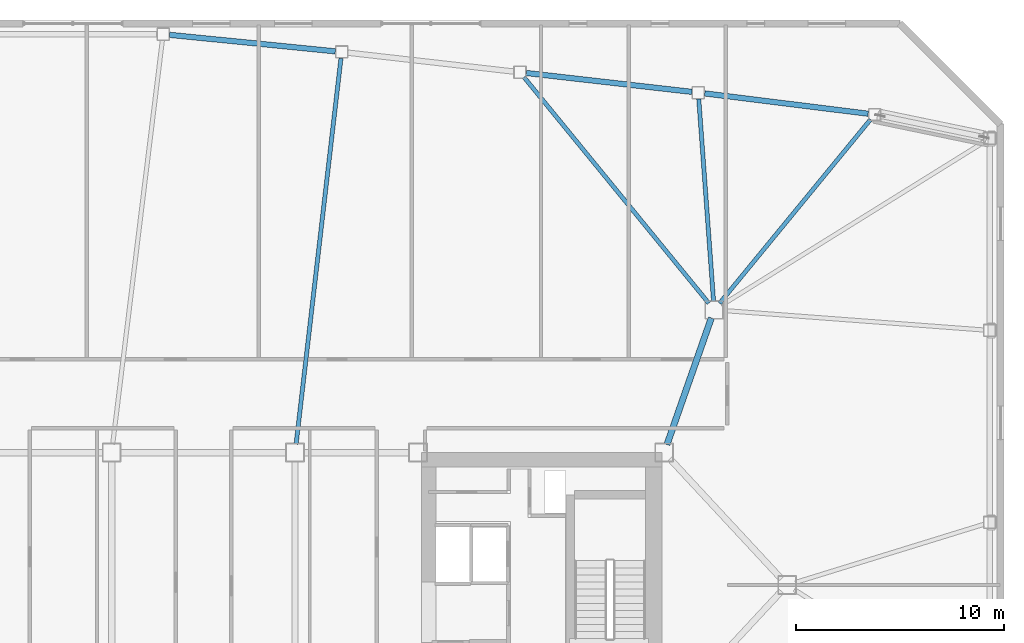
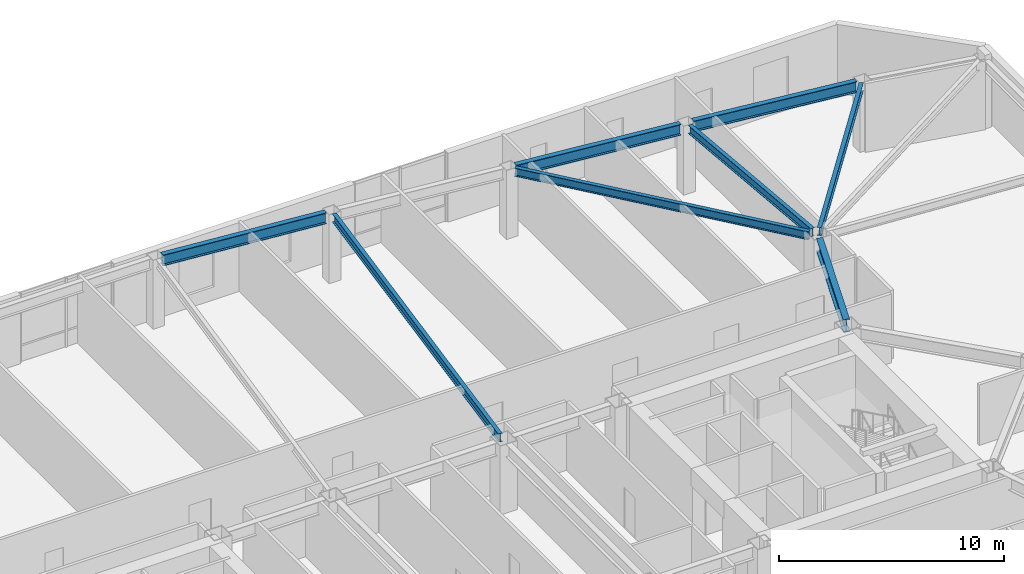
# One storey, part 6 of 17: 8 beams.
"""IFC4 building model written with IfcOpenShell, lengths in metres."""

from ifc_helpers import new_model, si_unit, direction, frame, origin, origin_2d, place, context, subcontext, project, spatial, i_section, extrude, material, material_profile, profile_set, type_object, element, save


model = new_model("IFC4")

# Units and contexts
model_context = context("Model", 3, precision=1e-05, world=origin(), true_north=direction((0.0, 1.0)))
body_context = subcontext(model_context, "Body", "Model", "MODEL_VIEW")
ifc_project = project(units=[si_unit("LENGTHUNIT", "METRE"), si_unit("AREAUNIT", "SQUARE_METRE"), si_unit("VOLUMEUNIT", "CUBIC_METRE"), si_unit("PLANEANGLEUNIT", "RADIAN"), si_unit("MASSUNIT", "GRAM", prefix="KILO")], contexts=[model_context])

# Site, building, storey
site_placement = place(None, origin())
site = spatial("IfcSite", under=ifc_project, at=site_placement, CompositionType="ELEMENT")
building_placement = place(site_placement, origin())
building = spatial("IfcBuilding", under=site, at=building_placement, Name="Tavrogorsk Clinical Tower", CompositionType="ELEMENT")
storey_placement = place(building_placement, frame((0.0, 0.0, 160.199951171875)))
storey = spatial("IfcBuildingStorey", under=building, at=storey_placement, Name="L36", CompositionType="ELEMENT", Elevation=160.199951171875)

# Beams
ifc_material_1 = material(Name="Structural steel S355", Category="steel")
ifc_material_profile_1 = material_profile(ifc_material_1, i_section(OverallWidth=0.199951171875, OverallDepth=0.449951171875, WebThickness=0.011474609375, FlangeThickness=0.01806640625, at=origin_2d()), Name="B-450x200x11.5x18")
ifc_profile_set_1 = profile_set([ifc_material_profile_1], Name="Structural steel S355")
beam_type_1 = type_object("IfcBeamType", Name="FloorBeam_B450", PredefinedType="BEAM", material=ifc_profile_set_1)
beam_1_placement = place(storey_placement, frame((24.76025390625, 13.516845703125, 3.51513671875), z_axis=(0.634632561694, 0.772814021377, 0.0), x_axis=(-0.772814021377, 0.634632561694, 0.0)))
element("IfcBeam", 1, at=beam_1_placement, inside=storey, type_object=beam_type_1, Name="L36 Radial Floor Beam N1", PredefinedType="BEAM", context=body_context, shape_type="SweptSolid", body=[
    extrude(i_section(OverallWidth=0.199951171875, OverallDepth=0.449951171875, WebThickness=0.011474609375, FlangeThickness=0.01806640625, at=origin_2d()), origin(), (0.0, 0.0, 1.0), 11.401123046875),
])
beam_2_placement = place(storey_placement, frame((24.469970703125, 13.60888671875, 3.51513671875), z_axis=(-0.072959198524, 0.997334926367, 0.0), x_axis=(-0.997334926367, -0.072959198524, 0.0)))
element("IfcBeam", 2, at=beam_2_placement, inside=storey, type_object=beam_type_1, Name="L36 Radial Floor Beam N2", PredefinedType="BEAM", context=body_context, shape_type="SweptSolid", body=[
    extrude(i_section(OverallWidth=0.199951171875, OverallDepth=0.449951171875, WebThickness=0.011474609375, FlangeThickness=0.01806640625, at=origin_2d()), origin(), (0.0, 0.0, 1.0), 9.7275390625),
])
beam_3_placement = place(storey_placement, frame((24.240478515625, 13.517333984375, 3.51513671875), z_axis=(-0.632957552123, 0.774186500277, 0.0), x_axis=(-0.774186500277, -0.632957552123, 0.0)))
element("IfcBeam", 3, at=beam_3_placement, inside=storey, type_object=beam_type_1, Name="L36 Radial Floor Beam N3", PredefinedType="BEAM", context=body_context, shape_type="SweptSolid", body=[
    extrude(i_section(OverallWidth=0.199951171875, OverallDepth=0.449951171875, WebThickness=0.011474609375, FlangeThickness=0.01806640625, at=origin_2d()), origin(), (0.0, 0.0, 1.0), 13.9970703125),
])
beam_4_placement = place(storey_placement, frame((4.447265625, 6.75732421875, 3.51513671875), z_axis=(0.115490633481, 0.993308569166, 0.0), x_axis=(-0.993308569166, 0.115490633481, 0.0)))
element("IfcBeam", 4, at=beam_4_placement, inside=storey, type_object=beam_type_1, Name="L36 Radial Floor Beam N4", PredefinedType="BEAM", context=body_context, shape_type="SweptSolid", body=[
    extrude(i_section(OverallWidth=0.199951171875, OverallDepth=0.449951171875, WebThickness=0.011474609375, FlangeThickness=0.01806640625, at=origin_2d()), origin(), (0.0, 0.0, 1.0), 18.628173828125),
])
ifc_material_2 = material(Name="Structural steel S390", Category="steel")
ifc_material_profile_2 = material_profile(ifc_material_2, i_section(OverallWidth=0.300048828125, OverallDepth=0.699951171875, WebThickness=0.01708984375, FlangeThickness=0.028076171875, at=origin_2d()), Name="B-700x300x17x28")
ifc_profile_set_2 = profile_set([ifc_material_profile_2], Name="Structural steel S390")
beam_type_2 = type_object("IfcBeamType", Name="PrimaryGirder_B700", PredefinedType="USERDEFINED", material=ifc_profile_set_2)
beam_5_placement = place(storey_placement, frame((24.364501953125, 12.81298828125, 3.39013671875), z_axis=(-0.330673031392, -0.94374538214, 0.0), x_axis=(0.94374538214, -0.330673031392, 0.0)))
element("IfcBeam", 5, at=beam_5_placement, inside=storey, type_object=beam_type_2, Name="L36 Spine Link Girder OPG-4", ObjectType="GIRDER", PredefinedType="USERDEFINED", context=body_context, shape_type="SweptSolid", body=[
    extrude(i_section(OverallWidth=0.300048828125, OverallDepth=0.699951171875, WebThickness=0.01708984375, FlangeThickness=0.028076171875, at=origin_2d()), origin(), (0.0, 0.0, 1.0), 6.43798828125),
])
ifc_material_3 = material(Name="Structural steel S390", Category="steel")
ifc_material_profile_3 = material_profile(ifc_material_3, i_section(OverallWidth=0.260009765625, OverallDepth=0.60009765625, WebThickness=0.014892578125, FlangeThickness=0.02392578125, at=origin_2d()), Name="B-600x260x15x24")
ifc_profile_set_3 = profile_set([ifc_material_profile_3], Name="Structural steel S390")
beam_type_3 = type_object("IfcBeamType", Name="SpandrelBeam_B600", PredefinedType="SPANDREL", material=ifc_profile_set_3)
beam_6_placement = place(storey_placement, frame((31.8857421875, 22.60400390625, 3.43994140625), z_axis=(-0.992347112015, 0.123479590521, 0.0), x_axis=(-0.123479590521, -0.992347112015, 0.0)))
element("IfcBeam", 6, at=beam_6_placement, inside=storey, type_object=beam_type_3, Name="L36 Perimeter Spandrel N1-N2", PredefinedType="SPANDREL", context=body_context, shape_type="SweptSolid", body=[
    extrude(i_section(OverallWidth=0.260009765625, OverallDepth=0.60009765625, WebThickness=0.014892578125, FlangeThickness=0.02392578125, at=origin_2d()), origin(), (0.0, 0.0, 1.0), 7.90283203125),
])
beam_7_placement = place(storey_placement, frame((23.431884765625, 23.652587890625, 3.43994140625), z_axis=(-0.993569841398, 0.113220891465, 0.0), x_axis=(-0.113220891465, -0.993569841398, 0.0)))
element("IfcBeam", 7, at=beam_7_placement, inside=storey, type_object=beam_type_3, Name="L36 Perimeter Spandrel N2-N3", PredefinedType="SPANDREL", context=body_context, shape_type="SweptSolid", body=[
    extrude(i_section(OverallWidth=0.260009765625, OverallDepth=0.60009765625, WebThickness=0.014892578125, FlangeThickness=0.02392578125, at=origin_2d()), origin(), (0.0, 0.0, 1.0), 7.9912109375),
])
beam_8_placement = place(storey_placement, frame((6.32763671875, 25.59716796875, 3.43994140625), z_axis=(-0.995074624158, 0.099128665666, 0.0), x_axis=(-0.099128665666, -0.995074624158, 0.0)))
element("IfcBeam", 8, at=beam_8_placement, inside=storey, type_object=beam_type_3, Name="L36 Perimeter Spandrel N4-N5", PredefinedType="SPANDREL", context=body_context, shape_type="SweptSolid", body=[
    extrude(i_section(OverallWidth=0.260009765625, OverallDepth=0.60009765625, WebThickness=0.014892578125, FlangeThickness=0.02392578125, at=origin_2d()), origin(), (0.0, 0.0, 1.0), 7.991943359375),
])

save(model, "model.ifc")
